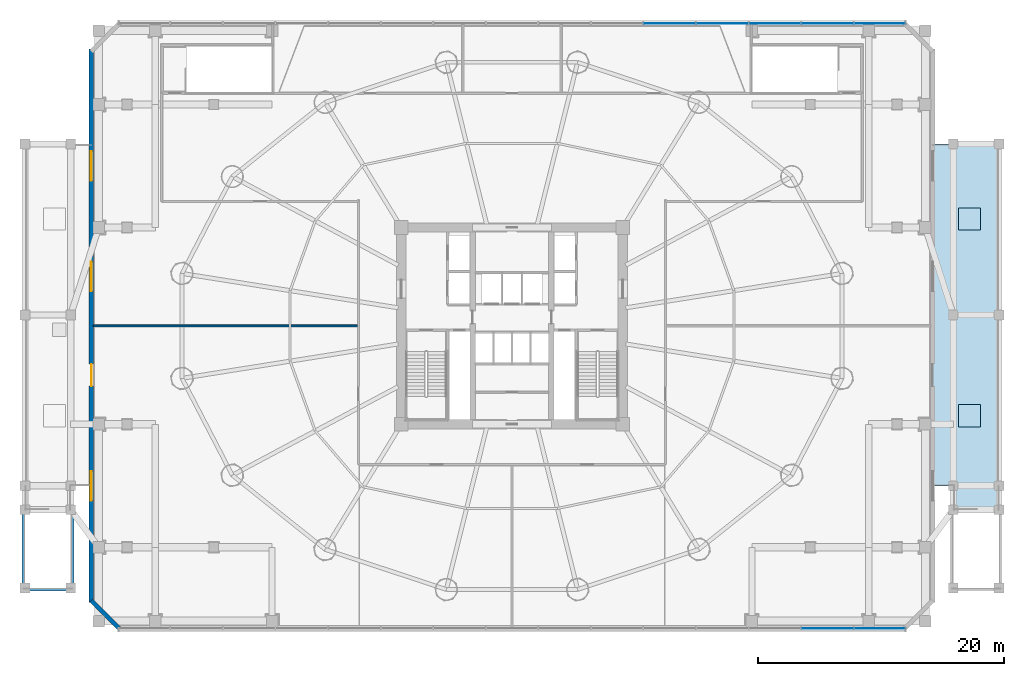
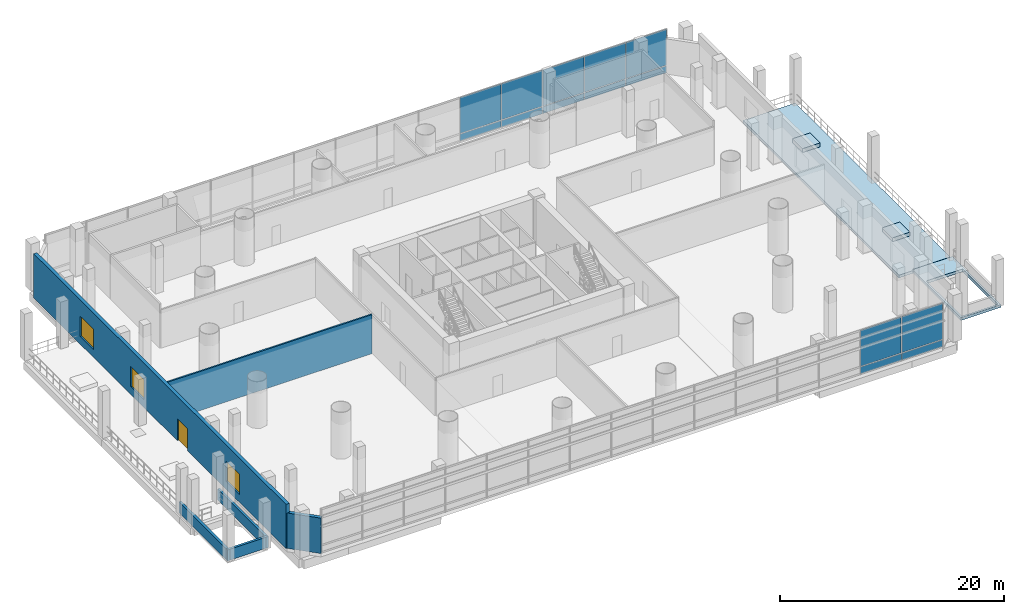
# One storey, part 20 of 31: 14 plates, 6 walls, 4 slabs, 3 windows, 1 door, 4 openings, 2 elements without a shape of their own.
"""IFC4 building model written with IfcOpenShell, lengths in metres."""

from ifc_helpers import new_model, si_unit, direction, frame, frame_2d, origin, origin_2d, place, context, subcontext, project, spatial, polyline, rectangle, outline, extrude, source, transform, mapped, material, layer, layer_set, type_object, element, fill, aggregate, save


model = new_model("IFC4")

# Units and contexts
model_context = context("Model", 3, precision=1e-05, world=origin(), true_north=direction((-0.2419218956, 0.970295726276)))
body_context = subcontext(model_context, "Body", "Model", "MODEL_VIEW")
ifc_project = project(units=[si_unit("LENGTHUNIT", "METRE"), si_unit("AREAUNIT", "SQUARE_METRE"), si_unit("VOLUMEUNIT", "CUBIC_METRE"), si_unit("PLANEANGLEUNIT", "RADIAN"), si_unit("MASSUNIT", "GRAM", prefix="KILO")], contexts=[model_context])

# Site, building, storey
site_placement = place(None, origin())
site = spatial("IfcSite", under=ifc_project, at=site_placement, CompositionType="ELEMENT")
building_placement = place(site_placement, origin())
building = spatial("IfcBuilding", under=site, at=building_placement, Name="Cobrevalo Terracotta Tower", CompositionType="ELEMENT")
storey_placement = place(building_placement, frame((0.0, 0.0, 18.89990234375)))
storey = spatial("IfcBuildingStorey", under=building, at=storey_placement, Name="L04", CompositionType="ELEMENT", Elevation=18.89990234375)

# Slabs
ifc_material_1 = material(Name="Concrete C50", Category="concrete")
ifc_layer_1 = layer(ifc_material_1, 0.300048828125)
ifc_layer_set_1 = layer_set([ifc_layer_1], Name="Concrete C50")
slab_type_1 = type_object("IfcSlabType", Name="Podium L01-L03 floor slab 300 mm", PredefinedType="FLOOR", material=ifc_layer_set_1)
slab_1_placement = place(storey_placement, frame((0.0, 0.0, -0.2998046875)))
element("IfcSlab", 1, at=slab_1_placement, inside=storey, type_object=slab_type_1, Name="L04 East monumental raised-garden stair structural floor landing slab", PredefinedType="FLOOR", context=body_context, shape_type="SweptSolid", body=[
    extrude(outline(polyline([(73.679931640625, 13.949951171875), (77.800048828125, 13.949951171875), (77.800048828125, 5.300048828125), (73.679931640625, 5.300048828125), (73.679931640625, 13.949951171875)]), holes=[polyline([(73.8798828125, 5.5), (77.60009765625, 5.5), (77.60009765625, 11.800048828125), (73.8798828125, 11.800048828125), (73.8798828125, 5.5)])]), origin(), (0.0, 0.0, 1.0), 0.2998046875),
])
ifc_layer_2 = layer(ifc_material_1, 0.300048828125)
ifc_layer_set_2 = layer_set([ifc_layer_2], Name="Concrete C50")
slab_type_2 = type_object("IfcSlabType", Name="Raised public garden terrace deck 300 mm", PredefinedType="FLOOR", material=ifc_layer_set_2)
slab_2_placement = place(storey_placement, frame((0.0, 0.0, -0.2998046875)))
element("IfcSlab", 2, at=slab_2_placement, inside=storey, type_object=slab_type_2, Name="L04 raised public garden deck east", PredefinedType="FLOOR", context=body_context, shape_type="SweptSolid", body=[
    extrude(outline(polyline([(72.199951171875, 41.60009765625), (77.60009765625, 41.60009765625), (77.60009765625, 13.9599609375), (73.669921875, 13.9599609375), (73.669921875, 13.800048828125), (72.199951171875, 13.800048828125), (72.199951171875, 41.60009765625)])), origin(), (0.0, 0.0, 1.0), 0.2998046875),
])
ifc_material_2 = material(Name="Precast concrete C45", Category="concrete")
ifc_layer_3 = layer(ifc_material_2, 0.419921875)
ifc_layer_set_3 = layer_set([ifc_layer_3], Name="Precast concrete C45")
slab_type_3 = type_object("IfcSlabType", Name="Structural tree planter trough base 420 mm", PredefinedType="USERDEFINED", material=ifc_layer_set_3)
slab_3_placement = place(storey_placement, origin())
element("IfcSlab", 3, at=slab_3_placement, inside=storey, type_object=slab_type_3, Name="L04 raised garden tree planter 3", ObjectType="PLANTER", PredefinedType="USERDEFINED", context=body_context, shape_type="SweptSolid", body=[
    extrude(outline(polyline([(74.300048828125, 18.60009765625), (76.10009765625, 18.60009765625), (76.10009765625, 20.39990234375), (74.300048828125, 20.39990234375), (74.300048828125, 18.60009765625)])), origin(), (0.0, 0.0, 1.0), 0.420166015625),
])
slab_4_placement = place(storey_placement, origin())
element("IfcSlab", 4, at=slab_4_placement, inside=storey, type_object=slab_type_3, Name="L04 raised garden tree planter 4", ObjectType="PLANTER", PredefinedType="USERDEFINED", context=body_context, shape_type="SweptSolid", body=[
    extrude(outline(polyline([(74.300048828125, 34.60009765625), (76.10009765625, 34.60009765625), (76.10009765625, 36.39990234375), (74.300048828125, 36.39990234375), (74.300048828125, 34.60009765625)])), origin(), (0.0, 0.0, 1.0), 0.420166015625),
])

# Curtain wall, plate
ifc_material_3 = material(Name="Anodized aluminium", Category="aluminium")
curtain_wall_type = type_object("IfcCurtainWallType", Name="Podium gallery & conservatory curtain wall CW-S2", PredefinedType="NOTDEFINED", material=ifc_material_3)
curtain_wall_1_placement = place(storey_placement, origin())
curtain_wall_1 = element("IfcCurtainWall", 5, at=curtain_wall_1_placement, inside=storey, type_object=curtain_wall_type, Name="L04 curtain wall CW-POD-L04-S", PredefinedType="NOTDEFINED")
ifc_material_4 = material(Name="Terracotta-faced insulated spandrel", Category="masonry")
ifc_layer_4 = layer(ifc_material_4, 0.044921875)
ifc_layer_set_4 = layer_set([ifc_layer_4], Name="Terracotta-faced insulated spandrel")
plate_type_1 = type_object("IfcPlateType", Name="Insulated terracotta-faced spandrel cassette 45 mm", PredefinedType="CURTAIN_PANEL", material=ifc_layer_set_4)
shared_shape_1 = source(origin(), body_context, "Body", "SweptSolid", [
    extrude(rectangle(XDim=4.1533203125, YDim=0.044921875, at=origin_2d()), origin(), (0.0, 0.0, 1.0), 0.739990234375),
])
plate_1_placement = place(storey_placement, frame((67.893310546875, 2.199951171875, 0.0400390625), z_axis=(0.0, 0.0, 1.0), x_axis=(1.0, 0.0, 0.0)))
plate_1 = element("IfcPlate", 6, at=plate_1_placement, type_object=plate_type_1, Name="CW-POD-L04-S terracotta spandrel panel B15", PredefinedType="CURTAIN_PANEL", context=body_context, shape_type="MappedRepresentation", body=[
    mapped(shared_shape_1, transform((0.0, 0.0, 0.0), scale=1.0)),
])

curtain_wall_2_placement = place(storey_placement, origin())
curtain_wall_2 = element("IfcCurtainWall", 7, at=curtain_wall_2_placement, inside=storey, type_object=curtain_wall_type, Name="L04 curtain wall CW-POD-L04-N", PredefinedType="NOTDEFINED")
plate_2_placement = place(storey_placement, frame((67.893310546875, 51.39990234375, 0.0400390625), z_axis=(0.0, 0.0, 1.0), x_axis=(-1.0, 0.0, 0.0)))
plate_2 = element("IfcPlate", 8, at=plate_2_placement, type_object=plate_type_1, Name="CW-POD-L04-N terracotta spandrel panel B01", PredefinedType="CURTAIN_PANEL", context=body_context, shape_type="MappedRepresentation", body=[
    mapped(shared_shape_1, transform((0.0, 0.0, 0.0), scale=1.0)),
])

# Plate
shared_shape_2 = source(origin(), body_context, "Body", "SweptSolid", [
    extrude(rectangle(XDim=4.193359375, YDim=0.044921875, at=origin_2d()), origin(), (0.0, 0.0, 1.0), 0.739990234375),
])
plate_3_placement = place(storey_placement, frame((63.639892578125, 2.199951171875, 0.0400390625), z_axis=(0.0, 0.0, 1.0), x_axis=(1.0, 0.0, 0.0)))
plate_3 = element("IfcPlate", 9, at=plate_3_placement, type_object=plate_type_1, Name="CW-POD-L04-S terracotta spandrel panel B14", PredefinedType="CURTAIN_PANEL", context=body_context, shape_type="MappedRepresentation", body=[
    mapped(shared_shape_2, transform((0.0, 0.0, 0.0), scale=1.0)),
])

plate_4_placement = place(storey_placement, frame((63.639892578125, 51.39990234375, 0.0400390625), z_axis=(0.0, 0.0, 1.0), x_axis=(-1.0, 0.0, 0.0)))
plate_4 = element("IfcPlate", 10, at=plate_4_placement, type_object=plate_type_1, Name="CW-POD-L04-N terracotta spandrel panel B02", PredefinedType="CURTAIN_PANEL", context=body_context, shape_type="MappedRepresentation", body=[
    mapped(shared_shape_2, transform((0.0, 0.0, 0.0), scale=1.0)),
])

plate_5_placement = place(storey_placement, frame((59.36669921875, 51.39990234375, 0.0400390625), z_axis=(0.0, 0.0, 1.0), x_axis=(-1.0, 0.0, 0.0)))
plate_5 = element("IfcPlate", 11, at=plate_5_placement, type_object=plate_type_1, Name="CW-POD-L04-N terracotta spandrel panel B03", PredefinedType="CURTAIN_PANEL", context=body_context, shape_type="MappedRepresentation", body=[
    mapped(shared_shape_2, transform((0.0, 0.0, 0.0), scale=1.0)),
])

plate_6_placement = place(storey_placement, frame((55.09326171875, 51.39990234375, 0.0400390625), z_axis=(0.0, 0.0, 1.0), x_axis=(-1.0, 0.0, 0.0)))
plate_6 = element("IfcPlate", 12, at=plate_6_placement, type_object=plate_type_1, Name="CW-POD-L04-N terracotta spandrel panel B04", PredefinedType="CURTAIN_PANEL", context=body_context, shape_type="MappedRepresentation", body=[
    mapped(shared_shape_2, transform((0.0, 0.0, 0.0), scale=1.0)),
])

plate_7_placement = place(storey_placement, frame((50.820068359375, 51.39990234375, 0.0400390625), z_axis=(0.0, 0.0, 1.0), x_axis=(-1.0, 0.0, 0.0)))
plate_7 = element("IfcPlate", 13, at=plate_7_placement, type_object=plate_type_1, Name="CW-POD-L04-N terracotta spandrel panel B05", PredefinedType="CURTAIN_PANEL", context=body_context, shape_type="MappedRepresentation", body=[
    mapped(shared_shape_2, transform((0.0, 0.0, 0.0), scale=1.0)),
])

ifc_material_5 = material(Name="Laminated low-E double glazing", Category="glass")
ifc_layer_5 = layer(ifc_material_5, 0.031982421875)
ifc_layer_set_5 = layer_set([ifc_layer_5], Name="Laminated low-E double glazing")
plate_type_2 = type_object("IfcPlateType", Name="Podium clear acoustic laminated glazing panel 32 mm", PredefinedType="CURTAIN_PANEL", material=ifc_layer_set_5)
shared_shape_3 = source(origin(), body_context, "Body", "SweptSolid", [
    extrude(rectangle(XDim=4.1533203125, YDim=0.035888671875, at=origin_2d()), origin(), (0.0, 0.0, 1.0), 3.919921875),
])
plate_8_placement = place(storey_placement, frame((67.893310546875, 2.199951171875, 0.860107421875), z_axis=(0.0, 0.0, 1.0), x_axis=(1.0, 0.0, 0.0)))
plate_8 = element("IfcPlate", 14, at=plate_8_placement, type_object=plate_type_2, Name="CW-POD-L04-S glazing panel B15", PredefinedType="CURTAIN_PANEL", context=body_context, shape_type="MappedRepresentation", body=[
    mapped(shared_shape_3, transform((0.0, 0.0, 0.0), scale=1.0)),
])

plate_9_placement = place(storey_placement, frame((67.893310546875, 51.39990234375, 0.860107421875), z_axis=(0.0, 0.0, 1.0), x_axis=(-1.0, 0.0, 0.0)))
plate_9 = element("IfcPlate", 15, at=plate_9_placement, type_object=plate_type_2, Name="CW-POD-L04-N glazing panel B01", PredefinedType="CURTAIN_PANEL", context=body_context, shape_type="MappedRepresentation", body=[
    mapped(shared_shape_3, transform((0.0, 0.0, 0.0), scale=1.0)),
])

shared_shape_4 = source(origin(), body_context, "Body", "SweptSolid", [
    extrude(rectangle(XDim=4.193359375, YDim=0.035888671875, at=origin_2d()), origin(), (0.0, 0.0, 1.0), 3.919921875),
])
plate_10_placement = place(storey_placement, frame((63.639892578125, 2.199951171875, 0.860107421875), z_axis=(0.0, 0.0, 1.0), x_axis=(1.0, 0.0, 0.0)))
plate_10 = element("IfcPlate", 16, at=plate_10_placement, type_object=plate_type_2, Name="CW-POD-L04-S glazing panel B14", PredefinedType="CURTAIN_PANEL", context=body_context, shape_type="MappedRepresentation", body=[
    mapped(shared_shape_4, transform((0.0, 0.0, 0.0), scale=1.0)),
])

aggregate(curtain_wall_1, [plate_3, plate_10, plate_1, plate_8])

plate_11_placement = place(storey_placement, frame((63.639892578125, 51.39990234375, 0.860107421875), z_axis=(0.0, 0.0, 1.0), x_axis=(-1.0, 0.0, 0.0)))
plate_11 = element("IfcPlate", 17, at=plate_11_placement, type_object=plate_type_2, Name="CW-POD-L04-N glazing panel B02", PredefinedType="CURTAIN_PANEL", context=body_context, shape_type="MappedRepresentation", body=[
    mapped(shared_shape_4, transform((0.0, 0.0, 0.0), scale=1.0)),
])

plate_12_placement = place(storey_placement, frame((59.36669921875, 51.39990234375, 0.860107421875), z_axis=(0.0, 0.0, 1.0), x_axis=(-1.0, 0.0, 0.0)))
plate_12 = element("IfcPlate", 18, at=plate_12_placement, type_object=plate_type_2, Name="CW-POD-L04-N glazing panel B03", PredefinedType="CURTAIN_PANEL", context=body_context, shape_type="MappedRepresentation", body=[
    mapped(shared_shape_4, transform((0.0, 0.0, 0.0), scale=1.0)),
])

plate_13_placement = place(storey_placement, frame((55.09326171875, 51.39990234375, 0.860107421875), z_axis=(0.0, 0.0, 1.0), x_axis=(-1.0, 0.0, 0.0)))
plate_13 = element("IfcPlate", 19, at=plate_13_placement, type_object=plate_type_2, Name="CW-POD-L04-N glazing panel B04", PredefinedType="CURTAIN_PANEL", context=body_context, shape_type="MappedRepresentation", body=[
    mapped(shared_shape_4, transform((0.0, 0.0, 0.0), scale=1.0)),
])

plate_14_placement = place(storey_placement, frame((50.820068359375, 51.39990234375, 0.860107421875), z_axis=(0.0, 0.0, 1.0), x_axis=(-1.0, 0.0, 0.0)))
plate_14 = element("IfcPlate", 20, at=plate_14_placement, type_object=plate_type_2, Name="CW-POD-L04-N glazing panel B05", PredefinedType="CURTAIN_PANEL", context=body_context, shape_type="MappedRepresentation", body=[
    mapped(shared_shape_4, transform((0.0, 0.0, 0.0), scale=1.0)),
])

aggregate(curtain_wall_2, [plate_2, plate_9, plate_4, plate_11, plate_5, plate_12, plate_6, plate_13, plate_7, plate_14])

# Wall, openings, door, windows
ifc_material_6 = material(Name="Concrete C45", Category="concrete")
ifc_layer_6 = layer(ifc_material_6, 0.35009765625)
ifc_layer_set_6 = layer_set([ifc_layer_6], Name="Concrete C45")
wall_type_1 = type_object("IfcWallType", Name="Board-marked precast architectural concrete facade wall 350 mm", PredefinedType="SOLIDWALL", material=ifc_layer_set_6)
wall_1_placement = place(storey_placement, frame((3.800048828125, 49.300048828125, 0.0), z_axis=(0.0, 0.0, 1.0), x_axis=(0.0, -1.0, 0.0)))
wall_1 = element("IfcWall", 21, at=wall_1_placement, inside=storey, type_object=wall_type_1, Name="L04 west podium facade wall", PredefinedType="SOLIDWALL", context=body_context, shape_type="SweptSolid", body=[
    extrude(rectangle(XDim=45.0, YDim=0.35009765625, at=frame_2d((22.5, 0.0))), origin(), (0.0, 0.0, 1.0), 4.820068359375),
])
opening_1_placement = place(wall_1_placement, frame((8.300048828125, 0.0, 0.85009765625)))
opening_1 = element("IfcOpeningElement", 22, at=opening_1_placement, cuts=wall_1, Name="Opening WN-09", PredefinedType="OPENING", context=body_context, shape_type="SweptSolid", body=[
    extrude(rectangle(XDim=2.39990234375, YDim=2.199951171875, at=frame_2d((1.199951171875, 1.10009765625))), frame((0.0, 0.18505859375, 0.0), z_axis=(0.0, -1.0, 0.0), x_axis=(1.0, 0.0, 0.0)), (0.0, 0.0, 1.0), 0.3701171875),
])
opening_2_placement = place(wall_1_placement, frame((17.300048828125, 0.0, 0.85009765625)))
opening_2 = element("IfcOpeningElement", 23, at=opening_2_placement, cuts=wall_1, Name="Opening WN-09", PredefinedType="OPENING", context=body_context, shape_type="SweptSolid", body=[
    extrude(rectangle(XDim=2.39990234375, YDim=2.199951171875, at=frame_2d((1.199951171875, 1.10009765625))), frame((0.0, 0.18505859375, 0.0), z_axis=(0.0, -1.0, 0.0), x_axis=(1.0, 0.0, 0.0)), (0.0, 0.0, 1.0), 0.3701171875),
])
opening_3_placement = place(wall_1_placement, frame((34.300048828125, 0.0, 0.85009765625)))
opening_3 = element("IfcOpeningElement", 24, at=opening_3_placement, cuts=wall_1, Name="Opening WN-09", PredefinedType="OPENING", context=body_context, shape_type="SweptSolid", body=[
    extrude(rectangle(XDim=2.39990234375, YDim=2.199951171875, at=frame_2d((1.199951171875, 1.10009765625))), frame((0.0, 0.18505859375, 0.0), z_axis=(0.0, -1.0, 0.0), x_axis=(1.0, 0.0, 0.0)), (0.0, 0.0, 1.0), 0.3701171875),
])
opening_4_placement = place(wall_1_placement, frame((25.60009765625, 0.0, 0.0)))
opening_4 = element("IfcOpeningElement", 25, at=opening_4_placement, cuts=wall_1, Name="Opening ED-08", PredefinedType="OPENING", context=body_context, shape_type="SweptSolid", body=[
    extrude(rectangle(XDim=1.800048828125, YDim=2.39990234375, at=frame_2d((0.89990234375, 1.199951171875))), frame((0.0, 0.18505859375, 0.0), z_axis=(0.0, -1.0, 0.0), x_axis=(1.0, 0.0, 0.0)), (0.0, 0.0, 1.0), 0.3701171875),
])
ifc_material_7 = material(Name="Anodized aluminium and laminated glass", Category="aluminium")
door_type = type_object("IfcDoorType", Name="Retail & garden terrace double glazed door 1800x2400", OperationType="NOTDEFINED", PredefinedType="DOOR", material=ifc_material_7)
shared_shape_5 = source(origin(), body_context, "Body", "SweptSolid", [
    extrude(rectangle(XDim=1.800048828125, YDim=2.39990234375, at=frame_2d((0.89990234375, 1.199951171875))), frame((0.0, 0.02490234375, 0.0), z_axis=(0.0, -1.0, 0.0), x_axis=(1.0, 0.0, 0.0)), (0.0, 0.0, 1.0), 0.050048828125),
])
door_placement = place(opening_4_placement, frame((1.800048828125, 0.0, 0.0), z_axis=(0.0, 0.0, 1.0), x_axis=(-1.0, 0.0, 0.0)))
door = element("IfcDoor", 26, at=door_placement, inside=storey, type_object=door_type, Name="L04 west raised public garden terrace door", OperationType="DOUBLE_DOOR_SINGLE_SWING", OverallHeight=2.39990234375, OverallWidth=1.800048828125, PredefinedType="DOOR", context=body_context, shape_type="MappedRepresentation", body=[
    mapped(shared_shape_5, transform((0.0, 0.0, 0.0), scale=1.0)),
])
fill(opening_4, door)
ifc_material_8 = material(Name="Solar-control low-E double glazing", Category="glass")
window_type = type_object("IfcWindowType", Name="Podium upper gallery bronze-anodized window 2400x2200", PartitioningType="SINGLE_PANEL", PredefinedType="WINDOW", material=ifc_material_8)
shared_shape_6 = source(origin(), body_context, "Body", "SweptSolid", [
    extrude(rectangle(XDim=2.39990234375, YDim=2.199951171875, at=frame_2d((1.199951171875, 1.10009765625))), frame((0.0, 0.030029296875, 0.0), z_axis=(0.0, -1.0, 0.0), x_axis=(1.0, 0.0, 0.0)), (0.0, 0.0, 1.0), 0.06005859375),
])
window_1_placement = place(opening_1_placement, origin())
window_1 = element("IfcWindow", 27, at=window_1_placement, inside=storey, type_object=window_type, Name="L04 west gallery window 1", OverallHeight=2.199951171875, OverallWidth=2.39990234375, PartitioningType="SINGLE_PANEL", PredefinedType="WINDOW", context=body_context, shape_type="MappedRepresentation", body=[
    mapped(shared_shape_6, transform((0.0, 0.0, 0.0), scale=1.0)),
])
fill(opening_1, window_1)
window_2_placement = place(opening_2_placement, origin())
window_2 = element("IfcWindow", 28, at=window_2_placement, inside=storey, type_object=window_type, Name="L04 west gallery window 2", OverallHeight=2.199951171875, OverallWidth=2.39990234375, PartitioningType="SINGLE_PANEL", PredefinedType="WINDOW", context=body_context, shape_type="MappedRepresentation", body=[
    mapped(shared_shape_6, transform((0.0, 0.0, 0.0), scale=1.0)),
])
fill(opening_2, window_2)
window_3_placement = place(opening_3_placement, origin())
window_3 = element("IfcWindow", 29, at=window_3_placement, inside=storey, type_object=window_type, Name="L04 west gallery window 3", OverallHeight=2.199951171875, OverallWidth=2.39990234375, PartitioningType="SINGLE_PANEL", PredefinedType="WINDOW", context=body_context, shape_type="MappedRepresentation", body=[
    mapped(shared_shape_6, transform((0.0, 0.0, 0.0), scale=1.0)),
])
fill(opening_3, window_3)

# Walls
wall_2_placement = place(storey_placement, frame((3.800048828125, 4.47998046875, 0.0), z_axis=(0.0, 0.0, 1.0), x_axis=(0.707106781187, -0.707106781187, 0.0)))
element("IfcWall", 30, at=wall_2_placement, inside=storey, type_object=wall_type_1, Name="L04 chamfered corner pier SW", PredefinedType="SOLIDWALL", context=body_context, shape_type="SweptSolid", body=[
    extrude(rectangle(XDim=3.224365234375, YDim=0.35009765625, at=frame_2d((1.6123046875, 0.0))), origin(), (0.0, 0.0, 1.0), 3.85498046875),
])
ifc_layer_7 = layer(ifc_material_1, 0.25)
ifc_layer_set_7 = layer_set([ifc_layer_7], Name="Concrete C50")
wall_type_2 = type_object("IfcWallType", Name="Exterior raised-garden stair shaft RC wall 250 mm Concrete C50", PredefinedType="SOLIDWALL", material=ifc_layer_set_7)
for number, where, z_axis, x_axis, name in (
    (31, (-1.72509765625, 5.25, 0.0), (0.0, 0.0, 1.0), (0.0, 1.0, 0.0), "L04 West monumental raised-garden stair structural shaft wall W"),
    (32, (2.2451171875, 5.25, 0.0), (0.0, 0.0, 1.0), (0.0, 1.0, 0.0), "L04 West monumental raised-garden stair structural shaft wall E"),
):
    element("IfcWall", number, at=place(storey_placement, frame(where, z_axis=z_axis, x_axis=x_axis)), inside=storey, type_object=wall_type_2, Name=name, PredefinedType="SOLIDWALL", context=body_context, shape_type="SweptSolid", body=[
        extrude(rectangle(XDim=8.675048828125, YDim=0.25, at=frame_2d((4.33740234375, 0.0))), origin(), (0.0, 0.0, 1.0), 1.2001953125),
    ])
wall_3_placement = place(storey_placement, frame((-1.85009765625, 5.375, 0.0), z_axis=(0.0, 0.0, 1.0), x_axis=(1.0, 0.0, 0.0)))
element("IfcWall", 33, at=wall_3_placement, inside=storey, type_object=wall_type_2, Name="L04 West monumental raised-garden stair structural shaft wall S", PredefinedType="SOLIDWALL", context=body_context, shape_type="SweptSolid", body=[
    extrude(rectangle(XDim=4.22021484375, YDim=0.25, at=frame_2d((2.110107421875, 0.0))), origin(), (0.0, 0.0, 1.0), 1.2001953125),
])
ifc_material_9 = material(Name="Gypsum board on steel stud", Category="steel")
ifc_layer_8 = layer(ifc_material_9, 0.159912109375)
ifc_layer_set_8 = layer_set([ifc_layer_8], Name="Gypsum board on steel stud")
wall_type_3 = type_object("IfcWallType", Name="Fire-rated corridor acoustic partition wall 160 mm", PredefinedType="PARTITIONING", material=ifc_layer_set_8)
wall_4_placement = place(storey_placement, frame((3.9599609375, 26.800048828125, 0.0), z_axis=(0.0, 0.0, 1.0), x_axis=(1.0, 0.0, 0.0)))
element("IfcWall", 34, at=wall_4_placement, inside=storey, type_object=wall_type_3, Name="L04 interior partition IW-L04-PW-M", PredefinedType="PARTITIONING", context=body_context, shape_type="SweptSolid", body=[
    extrude(rectangle(XDim=21.47802734375, YDim=0.159912109375, at=frame_2d((10.739013671875, 0.0))), origin(), (0.0, 0.0, 1.0), 4.26220703125),
])

save(model, "model.ifc")
